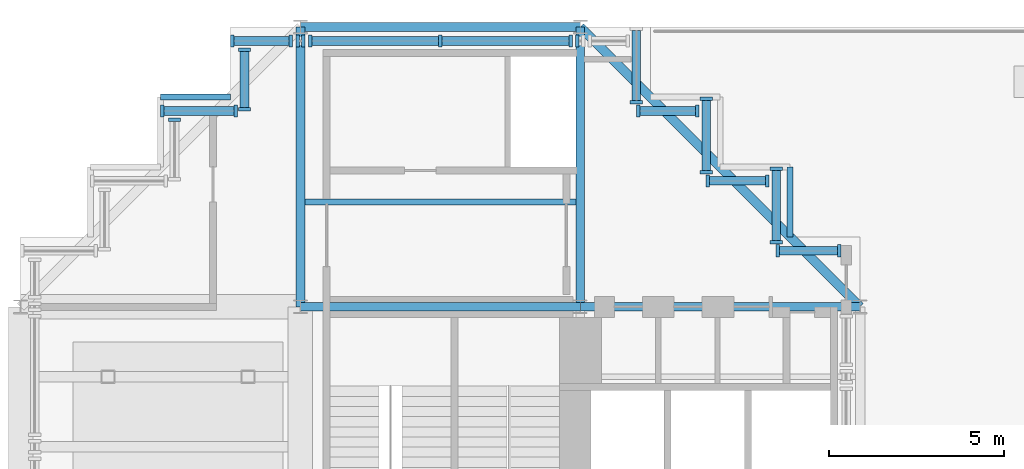
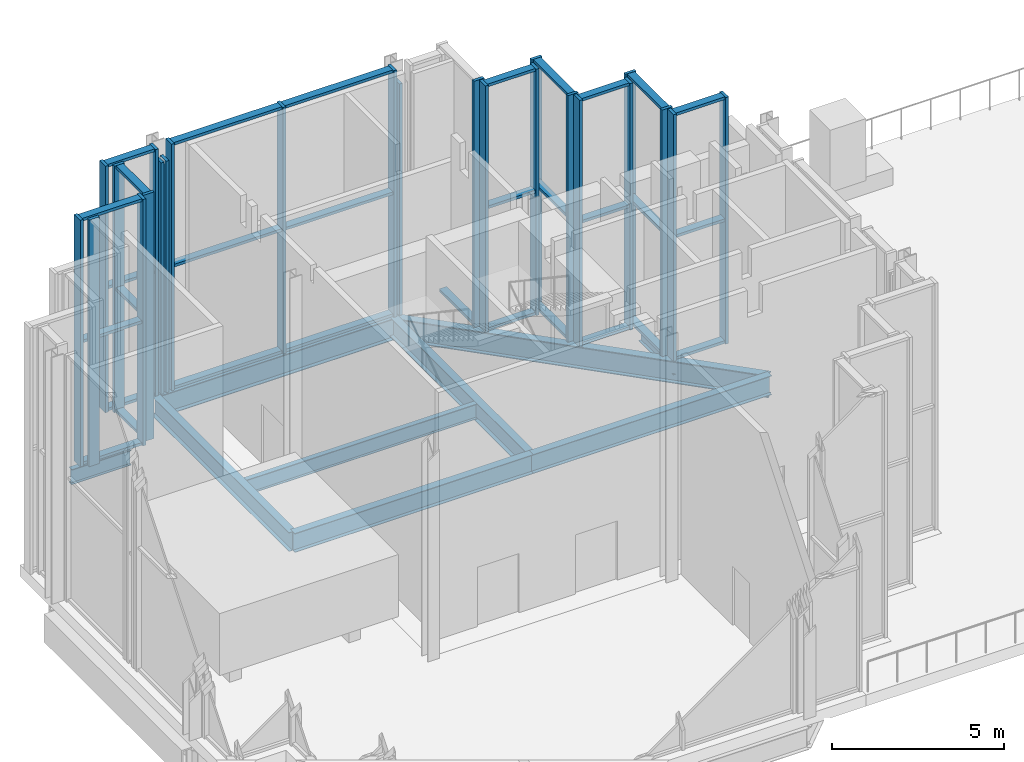
# One storey, part 4 of 15: 55 members, 9 beams, 13 elements without a shape of their own.
"""IFC4 building model written with IfcOpenShell, lengths in metres."""

from ifc_helpers import new_model, si_unit, direction, frame, origin, origin_2d, place, context, subcontext, project, spatial, rectangle, i_section, extrude, material, material_profile, profile_set, type_object, element, aggregate, save


model = new_model("IFC4")

# Units and contexts
model_context = context("Model", 3, precision=1e-05, world=origin(), true_north=direction((0.0, 1.0)))
body_context = subcontext(model_context, "Body", "Model", "MODEL_VIEW")
ifc_project = project(units=[si_unit("LENGTHUNIT", "METRE"), si_unit("AREAUNIT", "SQUARE_METRE"), si_unit("VOLUMEUNIT", "CUBIC_METRE"), si_unit("PLANEANGLEUNIT", "RADIAN"), si_unit("MASSUNIT", "GRAM", prefix="KILO")], contexts=[model_context])

# Site, building, storey
site_placement = place(None, origin())
site = spatial("IfcSite", under=ifc_project, at=site_placement, CompositionType="ELEMENT")
building_placement = place(site_placement, origin())
building = spatial("IfcBuilding", under=site, at=building_placement, Name="Immortelle Media Tower", CompositionType="ELEMENT")
storey_placement = place(building_placement, frame((0.0, 0.0, 299.0)))
storey = spatial("IfcBuildingStorey", under=building, at=storey_placement, Name="L66", CompositionType="ELEMENT", Elevation=299.0)

# Curtain wall, members
ifc_material_1 = material(Name="Aluminium curtain wall system", Category="aluminium")
curtain_wall_type = type_object("IfcCurtainWallType", Name="Damper hall glazing curtain wall", PredefinedType="NOTDEFINED", material=ifc_material_1)
curtain_wall_1_placement = place(storey_placement, origin())
curtain_wall_1 = element("IfcCurtainWall", 1, at=curtain_wall_1_placement, inside=storey, type_object=curtain_wall_type, Name="Damper hall glazing L66 N 8", PredefinedType="NOTDEFINED")
ifc_material_2 = material(Name="Aluminium 6063-T6", Category="aluminium")
ifc_material_profile_1 = material_profile(ifc_material_2, rectangle(XDim=0.35009765625, YDim=0.10009765625, at=origin_2d()), Name="AL 100x350")
ifc_profile_set_1 = profile_set([ifc_material_profile_1], Name="Aluminium 6063-T6")
member_type_1 = type_object("IfcMemberType", Name="Damper hall glazing mullion 100 x 350", PredefinedType="MULLION", material=ifc_profile_set_1)
member_1_placement = place(storey_placement, frame((23.39990234375, 17.60009765625, 0.0), z_axis=(0.0, 0.0, 1.0), x_axis=(0.0, -1.0, 0.0)))
member_1 = element("IfcMember", 2, at=member_1_placement, type_object=member_type_1, Name="CW5 mullion 1", PredefinedType="MULLION", context=body_context, shape_type="SweptSolid", body=[
    extrude(rectangle(XDim=0.35009765625, YDim=0.10009765625, at=origin_2d()), origin(), (0.0, 0.0, 1.0), 8.74951171875),
])
member_2_placement = place(storey_placement, frame((21.64990234375, 17.60009765625, 0.0), z_axis=(0.0, 0.0, 1.0), x_axis=(0.0, -1.0, 0.0)))
member_2 = element("IfcMember", 3, at=member_2_placement, type_object=member_type_1, Name="CW5 mullion 2", PredefinedType="MULLION", context=body_context, shape_type="SweptSolid", body=[
    extrude(rectangle(XDim=0.35009765625, YDim=0.10009765625, at=origin_2d()), origin(), (0.0, 0.0, 1.0), 8.74951171875),
])

curtain_wall_2_placement = place(storey_placement, origin())
curtain_wall_2 = element("IfcCurtainWall", 4, at=curtain_wall_2_placement, inside=storey, type_object=curtain_wall_type, Name="Damper hall glazing L66 E 9", PredefinedType="NOTDEFINED")
member_3_placement = place(storey_placement, frame((21.60009765625, 17.85009765625, 0.0), z_axis=(0.0, 0.0, 1.0), x_axis=(-1.0, 0.0, 0.0)))
member_3 = element("IfcMember", 5, at=member_3_placement, type_object=member_type_1, Name="CW5 mullion 1", PredefinedType="MULLION", context=body_context, shape_type="SweptSolid", body=[
    extrude(rectangle(XDim=0.35009765625, YDim=0.10009765625, at=origin_2d()), origin(), (0.0, 0.0, 1.0), 8.74951171875),
])
member_4_placement = place(storey_placement, frame((21.60009765625, 19.949951171875, 0.0), z_axis=(0.0, 0.0, 1.0), x_axis=(-1.0, 0.0, 0.0)))
member_4 = element("IfcMember", 6, at=member_4_placement, type_object=member_type_1, Name="CW5 mullion 2", PredefinedType="MULLION", context=body_context, shape_type="SweptSolid", body=[
    extrude(rectangle(XDim=0.35009765625, YDim=0.10009765625, at=origin_2d()), origin(), (0.0, 0.0, 1.0), 8.74951171875),
])

curtain_wall_3_placement = place(storey_placement, origin())
curtain_wall_3 = element("IfcCurtainWall", 7, at=curtain_wall_3_placement, inside=storey, type_object=curtain_wall_type, Name="Damper hall glazing L66 N 10", PredefinedType="NOTDEFINED")
member_5_placement = place(storey_placement, frame((21.35009765625, 19.60009765625, 0.0), z_axis=(0.0, 0.0, 1.0), x_axis=(0.0, -1.0, 0.0)))
member_5 = element("IfcMember", 8, at=member_5_placement, type_object=member_type_1, Name="CW5 mullion 1", PredefinedType="MULLION", context=body_context, shape_type="SweptSolid", body=[
    extrude(rectangle(XDim=0.35009765625, YDim=0.10009765625, at=origin_2d()), origin(), (0.0, 0.0, 1.0), 8.74951171875),
])
member_6_placement = place(storey_placement, frame((19.64990234375, 19.60009765625, 0.0), z_axis=(0.0, 0.0, 1.0), x_axis=(0.0, -1.0, 0.0)))
member_6 = element("IfcMember", 9, at=member_6_placement, type_object=member_type_1, Name="CW5 mullion 2", PredefinedType="MULLION", context=body_context, shape_type="SweptSolid", body=[
    extrude(rectangle(XDim=0.35009765625, YDim=0.10009765625, at=origin_2d()), origin(), (0.0, 0.0, 1.0), 8.74951171875),
])

curtain_wall_4_placement = place(storey_placement, origin())
curtain_wall_4 = element("IfcCurtainWall", 10, at=curtain_wall_4_placement, inside=storey, type_object=curtain_wall_type, Name="Damper hall glazing L66 E 11", PredefinedType="NOTDEFINED")
member_7_placement = place(storey_placement, frame((19.60009765625, 19.85009765625, 0.0), z_axis=(0.0, 0.0, 1.0), x_axis=(-1.0, 0.0, 0.0)))
member_7 = element("IfcMember", 11, at=member_7_placement, type_object=member_type_1, Name="CW5 mullion 1", PredefinedType="MULLION", context=body_context, shape_type="SweptSolid", body=[
    extrude(rectangle(XDim=0.35009765625, YDim=0.10009765625, at=origin_2d()), origin(), (0.0, 0.0, 1.0), 8.74951171875),
])
member_8_placement = place(storey_placement, frame((19.60009765625, 21.949951171875, 0.0), z_axis=(0.0, 0.0, 1.0), x_axis=(-1.0, 0.0, 0.0)))
member_8 = element("IfcMember", 12, at=member_8_placement, type_object=member_type_1, Name="CW5 mullion 2", PredefinedType="MULLION", context=body_context, shape_type="SweptSolid", body=[
    extrude(rectangle(XDim=0.35009765625, YDim=0.10009765625, at=origin_2d()), origin(), (0.0, 0.0, 1.0), 8.74951171875),
])

curtain_wall_5_placement = place(storey_placement, origin())
curtain_wall_5 = element("IfcCurtainWall", 13, at=curtain_wall_5_placement, inside=storey, type_object=curtain_wall_type, Name="Damper hall glazing L66 N 12", PredefinedType="NOTDEFINED")
member_9_placement = place(storey_placement, frame((19.35009765625, 21.60009765625, 0.0), z_axis=(0.0, 0.0, 1.0), x_axis=(0.0, -1.0, 0.0)))
member_9 = element("IfcMember", 14, at=member_9_placement, type_object=member_type_1, Name="CW5 mullion 1", PredefinedType="MULLION", context=body_context, shape_type="SweptSolid", body=[
    extrude(rectangle(XDim=0.35009765625, YDim=0.10009765625, at=origin_2d()), origin(), (0.0, 0.0, 1.0), 8.74951171875),
])
member_10_placement = place(storey_placement, frame((17.64990234375, 21.60009765625, 0.0), z_axis=(0.0, 0.0, 1.0), x_axis=(0.0, -1.0, 0.0)))
member_10 = element("IfcMember", 15, at=member_10_placement, type_object=member_type_1, Name="CW5 mullion 2", PredefinedType="MULLION", context=body_context, shape_type="SweptSolid", body=[
    extrude(rectangle(XDim=0.35009765625, YDim=0.10009765625, at=origin_2d()), origin(), (0.0, 0.0, 1.0), 8.74951171875),
])

# Curtain wall, member
curtain_wall_6_placement = place(storey_placement, origin())
curtain_wall_6 = element("IfcCurtainWall", 16, at=curtain_wall_6_placement, inside=storey, type_object=curtain_wall_type, Name="Damper hall glazing L66 E 13", PredefinedType="NOTDEFINED")
member_11_placement = place(storey_placement, frame((17.60009765625, 21.85009765625, 0.0), z_axis=(0.0, 0.0, 1.0), x_axis=(-1.0, 0.0, 0.0)))
member_11 = element("IfcMember", 17, at=member_11_placement, type_object=member_type_1, Name="CW5 mullion 1", PredefinedType="MULLION", context=body_context, shape_type="SweptSolid", body=[
    extrude(rectangle(XDim=0.35009765625, YDim=0.10009765625, at=origin_2d()), origin(), (0.0, 0.0, 1.0), 8.74951171875),
])

curtain_wall_7_placement = place(storey_placement, origin())
curtain_wall_7 = element("IfcCurtainWall", 18, at=curtain_wall_7_placement, inside=storey, type_object=curtain_wall_type, Name="Damper hall glazing L66 N 14-2", PredefinedType="NOTDEFINED")
member_12_placement = place(storey_placement, frame((15.91650390625, 23.60009765625, 0.0), z_axis=(0.0, 0.0, 1.0), x_axis=(0.0, -1.0, 0.0)))
member_12 = element("IfcMember", 19, at=member_12_placement, type_object=member_type_1, Name="CW5 mullion 2", PredefinedType="MULLION", context=body_context, shape_type="SweptSolid", body=[
    extrude(rectangle(XDim=0.35009765625, YDim=0.10009765625, at=origin_2d()), origin(), (0.0, 0.0, 1.0), 8.21337890625),
])
aggregate(curtain_wall_7, [member_12])

# Curtain wall, members
curtain_wall_8_placement = place(storey_placement, origin())
curtain_wall_8 = element("IfcCurtainWall", 20, at=curtain_wall_8_placement, inside=storey, type_object=curtain_wall_type, Name="Damper hall glazing L66 N 14-3", PredefinedType="NOTDEFINED")
member_13_placement = place(storey_placement, frame((15.7265625, 23.60009765625, 0.0), z_axis=(0.0, 0.0, 1.0), x_axis=(0.0, -1.0, 0.0)))
member_13 = element("IfcMember", 21, at=member_13_placement, type_object=member_type_1, Name="CW5 mullion 1", PredefinedType="MULLION", context=body_context, shape_type="SweptSolid", body=[
    extrude(rectangle(XDim=0.35009765625, YDim=0.10009765625, at=origin_2d()), origin(), (0.0, 0.0, 1.0), 8.74951171875),
])
member_14_placement = place(storey_placement, frame((12.0, 23.60009765625, 0.0), z_axis=(0.0, 0.0, 1.0), x_axis=(0.0, -1.0, 0.0)))
member_14 = element("IfcMember", 22, at=member_14_placement, type_object=member_type_1, Name="CW5 mullion 2", PredefinedType="MULLION", context=body_context, shape_type="SweptSolid", body=[
    extrude(rectangle(XDim=0.35009765625, YDim=0.10009765625, at=origin_2d()), origin(), (0.0, 0.0, 1.0), 8.74951171875),
])
member_15_placement = place(storey_placement, frame((8.2734375, 23.60009765625, 0.0), z_axis=(0.0, 0.0, 1.0), x_axis=(0.0, -1.0, 0.0)))
member_15 = element("IfcMember", 23, at=member_15_placement, type_object=member_type_1, Name="CW5 mullion 3", PredefinedType="MULLION", context=body_context, shape_type="SweptSolid", body=[
    extrude(rectangle(XDim=0.35009765625, YDim=0.10009765625, at=origin_2d()), origin(), (0.0, 0.0, 1.0), 8.74951171875),
])

curtain_wall_9_placement = place(storey_placement, origin())
curtain_wall_9 = element("IfcCurtainWall", 24, at=curtain_wall_9_placement, inside=storey, type_object=curtain_wall_type, Name="Damper hall glazing L66 N 14-4", PredefinedType="NOTDEFINED")
member_16_placement = place(storey_placement, frame((8.08349609375, 23.60009765625, 0.0), z_axis=(0.0, 0.0, 1.0), x_axis=(0.0, -1.0, 0.0)))
member_16 = element("IfcMember", 25, at=member_16_placement, type_object=member_type_1, Name="CW5 mullion 1", PredefinedType="MULLION", context=body_context, shape_type="SweptSolid", body=[
    extrude(rectangle(XDim=0.35009765625, YDim=0.10009765625, at=origin_2d()), origin(), (0.0, 0.0, 1.0), 8.21337890625),
])
member_17_placement = place(storey_placement, frame((7.91650390625, 23.60009765625, 0.0), z_axis=(0.0, 0.0, 1.0), x_axis=(0.0, -1.0, 0.0)))
member_17 = element("IfcMember", 26, at=member_17_placement, type_object=member_type_1, Name="CW5 mullion 2", PredefinedType="MULLION", context=body_context, shape_type="SweptSolid", body=[
    extrude(rectangle(XDim=0.35009765625, YDim=0.10009765625, at=origin_2d()), origin(), (0.0, 0.0, 1.0), 8.21337890625),
])
aggregate(curtain_wall_9, [member_16, member_17])

curtain_wall_10_placement = place(storey_placement, origin())
curtain_wall_10 = element("IfcCurtainWall", 27, at=curtain_wall_10_placement, inside=storey, type_object=curtain_wall_type, Name="Damper hall glazing L66 N 14-5", PredefinedType="NOTDEFINED")
member_18_placement = place(storey_placement, frame((7.7265625, 23.60009765625, 0.0), z_axis=(0.0, 0.0, 1.0), x_axis=(0.0, -1.0, 0.0)))
member_18 = element("IfcMember", 28, at=member_18_placement, type_object=member_type_1, Name="CW5 mullion 1", PredefinedType="MULLION", context=body_context, shape_type="SweptSolid", body=[
    extrude(rectangle(XDim=0.35009765625, YDim=0.10009765625, at=origin_2d()), origin(), (0.0, 0.0, 1.0), 8.74951171875),
])
member_19_placement = place(storey_placement, frame((6.050048828125, 23.60009765625, 0.0), z_axis=(0.0, 0.0, 1.0), x_axis=(0.0, -1.0, 0.0)))
member_19 = element("IfcMember", 29, at=member_19_placement, type_object=member_type_1, Name="CW5 mullion 2", PredefinedType="MULLION", context=body_context, shape_type="SweptSolid", body=[
    extrude(rectangle(XDim=0.35009765625, YDim=0.10009765625, at=origin_2d()), origin(), (0.0, 0.0, 1.0), 8.74951171875),
])

curtain_wall_11_placement = place(storey_placement, origin())
curtain_wall_11 = element("IfcCurtainWall", 30, at=curtain_wall_11_placement, inside=storey, type_object=curtain_wall_type, Name="Damper hall glazing L66 W 15", PredefinedType="NOTDEFINED")
member_20_placement = place(storey_placement, frame((6.39990234375, 23.35009765625, 0.0), z_axis=(0.0, 0.0, 1.0), x_axis=(1.0, 0.0, 0.0)))
member_20 = element("IfcMember", 31, at=member_20_placement, type_object=member_type_1, Name="CW5 mullion 1", PredefinedType="MULLION", context=body_context, shape_type="SweptSolid", body=[
    extrude(rectangle(XDim=0.35009765625, YDim=0.10009765625, at=origin_2d()), origin(), (0.0, 0.0, 1.0), 8.74951171875),
])
member_21_placement = place(storey_placement, frame((6.39990234375, 21.64990234375, 0.0), z_axis=(0.0, 0.0, 1.0), x_axis=(1.0, 0.0, 0.0)))
member_21 = element("IfcMember", 32, at=member_21_placement, type_object=member_type_1, Name="CW5 mullion 2", PredefinedType="MULLION", context=body_context, shape_type="SweptSolid", body=[
    extrude(rectangle(XDim=0.35009765625, YDim=0.10009765625, at=origin_2d()), origin(), (0.0, 0.0, 1.0), 8.74951171875),
])

curtain_wall_12_placement = place(storey_placement, origin())
curtain_wall_12 = element("IfcCurtainWall", 33, at=curtain_wall_12_placement, inside=storey, type_object=curtain_wall_type, Name="Damper hall glazing L66 N 16", PredefinedType="NOTDEFINED")
member_22_placement = place(storey_placement, frame((6.14990234375, 21.60009765625, 0.0), z_axis=(0.0, 0.0, 1.0), x_axis=(0.0, -1.0, 0.0)))
member_22 = element("IfcMember", 34, at=member_22_placement, type_object=member_type_1, Name="CW5 mullion 1", PredefinedType="MULLION", context=body_context, shape_type="SweptSolid", body=[
    extrude(rectangle(XDim=0.35009765625, YDim=0.10009765625, at=origin_2d()), origin(), (0.0, 0.0, 1.0), 8.74951171875),
])
member_23_placement = place(storey_placement, frame((4.050048828125, 21.60009765625, 0.0), z_axis=(0.0, 0.0, 1.0), x_axis=(0.0, -1.0, 0.0)))
member_23 = element("IfcMember", 35, at=member_23_placement, type_object=member_type_1, Name="CW5 mullion 2", PredefinedType="MULLION", context=body_context, shape_type="SweptSolid", body=[
    extrude(rectangle(XDim=0.35009765625, YDim=0.10009765625, at=origin_2d()), origin(), (0.0, 0.0, 1.0), 8.74951171875),
])

# Curtain wall, member
curtain_wall_13_placement = place(storey_placement, origin())
curtain_wall_13 = element("IfcCurtainWall", 36, at=curtain_wall_13_placement, inside=storey, type_object=curtain_wall_type, Name="Damper hall glazing L66 W 17", PredefinedType="NOTDEFINED")
member_24_placement = place(storey_placement, frame((4.39990234375, 21.35009765625, 0.0), z_axis=(0.0, 0.0, 1.0), x_axis=(1.0, 0.0, 0.0)))
member_24 = element("IfcMember", 37, at=member_24_placement, type_object=member_type_1, Name="CW5 mullion 1", PredefinedType="MULLION", context=body_context, shape_type="SweptSolid", body=[
    extrude(rectangle(XDim=0.35009765625, YDim=0.10009765625, at=origin_2d()), origin(), (0.0, 0.0, 1.0), 8.74951171875),
])
aggregate(curtain_wall_13, [member_24])

# Member
ifc_material_profile_2 = material_profile(ifc_material_2, rectangle(XDim=0.25, YDim=0.10009765625, at=origin_2d()), Name="AL 100x250")
ifc_profile_set_2 = profile_set([ifc_material_profile_2], Name="Aluminium 6063-T6")
member_type_2 = type_object("IfcMemberType", Name="Damper hall glazing transom 100 x 250", PredefinedType="USERDEFINED", material=ifc_profile_set_2)
member_25_placement = place(storey_placement, frame((23.35009765625, 17.60009765625, 0.050048828125), z_axis=(-1.0, 0.0, 0.0), x_axis=(0.0, -1.0, 0.0)))
member_25 = element("IfcMember", 38, at=member_25_placement, type_object=member_type_2, Name="CW5 transom 1.1", ObjectType="TRANSOM", PredefinedType="USERDEFINED", context=body_context, shape_type="SweptSolid", body=[
    extrude(rectangle(XDim=0.25, YDim=0.10009765625, at=origin_2d()), origin(), (0.0, 0.0, 1.0), 1.650146484375),
])

member_26_placement = place(storey_placement, frame((23.35009765625, 17.60009765625, 4.374755859375), z_axis=(-1.0, 0.0, 0.0), x_axis=(0.0, -1.0, 0.0)))
member_26 = element("IfcMember", 39, at=member_26_placement, type_object=member_type_2, Name="CW5 transom 1.2", ObjectType="TRANSOM", PredefinedType="USERDEFINED", context=body_context, shape_type="SweptSolid", body=[
    extrude(rectangle(XDim=0.25, YDim=0.10009765625, at=origin_2d()), origin(), (0.0, 0.0, 1.0), 1.650146484375),
])

member_27_placement = place(storey_placement, frame((23.35009765625, 17.60009765625, 8.699462890625), z_axis=(-1.0, 0.0, 0.0), x_axis=(0.0, -1.0, 0.0)))
member_27 = element("IfcMember", 40, at=member_27_placement, type_object=member_type_2, Name="CW5 transom 1.3", ObjectType="TRANSOM", PredefinedType="USERDEFINED", context=body_context, shape_type="SweptSolid", body=[
    extrude(rectangle(XDim=0.25, YDim=0.10009765625, at=origin_2d()), origin(), (0.0, 0.0, 1.0), 1.650146484375),
])

aggregate(curtain_wall_1, [member_1, member_2, member_25, member_26, member_27])

member_28_placement = place(storey_placement, frame((21.60009765625, 17.89990234375, 0.050048828125), z_axis=(0.0, 1.0, 0.0), x_axis=(-1.0, 0.0, 0.0)))
member_28 = element("IfcMember", 41, at=member_28_placement, type_object=member_type_2, Name="CW5 transom 1.1", ObjectType="TRANSOM", PredefinedType="USERDEFINED", context=body_context, shape_type="SweptSolid", body=[
    extrude(rectangle(XDim=0.25, YDim=0.10009765625, at=origin_2d()), origin(), (0.0, 0.0, 1.0), 2.0),
])

member_29_placement = place(storey_placement, frame((21.60009765625, 17.89990234375, 4.374755859375), z_axis=(0.0, 1.0, 0.0), x_axis=(-1.0, 0.0, 0.0)))
member_29 = element("IfcMember", 42, at=member_29_placement, type_object=member_type_2, Name="CW5 transom 1.2", ObjectType="TRANSOM", PredefinedType="USERDEFINED", context=body_context, shape_type="SweptSolid", body=[
    extrude(rectangle(XDim=0.25, YDim=0.10009765625, at=origin_2d()), origin(), (0.0, 0.0, 1.0), 2.0),
])

member_30_placement = place(storey_placement, frame((21.60009765625, 17.89990234375, 8.699462890625), z_axis=(0.0, 1.0, 0.0), x_axis=(-1.0, 0.0, 0.0)))
member_30 = element("IfcMember", 43, at=member_30_placement, type_object=member_type_2, Name="CW5 transom 1.3", ObjectType="TRANSOM", PredefinedType="USERDEFINED", context=body_context, shape_type="SweptSolid", body=[
    extrude(rectangle(XDim=0.25, YDim=0.10009765625, at=origin_2d()), origin(), (0.0, 0.0, 1.0), 2.0),
])

aggregate(curtain_wall_2, [member_3, member_4, member_28, member_29, member_30])

member_31_placement = place(storey_placement, frame((21.300048828125, 19.60009765625, 0.050048828125), z_axis=(-1.0, 0.0, 0.0), x_axis=(0.0, -1.0, 0.0)))
member_31 = element("IfcMember", 44, at=member_31_placement, type_object=member_type_2, Name="CW5 transom 1.1", ObjectType="TRANSOM", PredefinedType="USERDEFINED", context=body_context, shape_type="SweptSolid", body=[
    extrude(rectangle(XDim=0.25, YDim=0.10009765625, at=origin_2d()), origin(), (0.0, 0.0, 1.0), 1.60009765625),
])

member_32_placement = place(storey_placement, frame((21.300048828125, 19.60009765625, 4.374755859375), z_axis=(-1.0, 0.0, 0.0), x_axis=(0.0, -1.0, 0.0)))
member_32 = element("IfcMember", 45, at=member_32_placement, type_object=member_type_2, Name="CW5 transom 1.2", ObjectType="TRANSOM", PredefinedType="USERDEFINED", context=body_context, shape_type="SweptSolid", body=[
    extrude(rectangle(XDim=0.25, YDim=0.10009765625, at=origin_2d()), origin(), (0.0, 0.0, 1.0), 1.60009765625),
])

member_33_placement = place(storey_placement, frame((21.300048828125, 19.60009765625, 8.699462890625), z_axis=(-1.0, 0.0, 0.0), x_axis=(0.0, -1.0, 0.0)))
member_33 = element("IfcMember", 46, at=member_33_placement, type_object=member_type_2, Name="CW5 transom 1.3", ObjectType="TRANSOM", PredefinedType="USERDEFINED", context=body_context, shape_type="SweptSolid", body=[
    extrude(rectangle(XDim=0.25, YDim=0.10009765625, at=origin_2d()), origin(), (0.0, 0.0, 1.0), 1.60009765625),
])

aggregate(curtain_wall_3, [member_5, member_6, member_31, member_32, member_33])

member_34_placement = place(storey_placement, frame((19.60009765625, 19.89990234375, 0.050048828125), z_axis=(0.0, 1.0, 0.0), x_axis=(-1.0, 0.0, 0.0)))
member_34 = element("IfcMember", 47, at=member_34_placement, type_object=member_type_2, Name="CW5 transom 1.1", ObjectType="TRANSOM", PredefinedType="USERDEFINED", context=body_context, shape_type="SweptSolid", body=[
    extrude(rectangle(XDim=0.25, YDim=0.10009765625, at=origin_2d()), origin(), (0.0, 0.0, 1.0), 2.0),
])

member_35_placement = place(storey_placement, frame((19.60009765625, 19.89990234375, 4.374755859375), z_axis=(0.0, 1.0, 0.0), x_axis=(-1.0, 0.0, 0.0)))
member_35 = element("IfcMember", 48, at=member_35_placement, type_object=member_type_2, Name="CW5 transom 1.2", ObjectType="TRANSOM", PredefinedType="USERDEFINED", context=body_context, shape_type="SweptSolid", body=[
    extrude(rectangle(XDim=0.25, YDim=0.10009765625, at=origin_2d()), origin(), (0.0, 0.0, 1.0), 2.0),
])

member_36_placement = place(storey_placement, frame((19.60009765625, 19.89990234375, 8.699462890625), z_axis=(0.0, 1.0, 0.0), x_axis=(-1.0, 0.0, 0.0)))
member_36 = element("IfcMember", 49, at=member_36_placement, type_object=member_type_2, Name="CW5 transom 1.3", ObjectType="TRANSOM", PredefinedType="USERDEFINED", context=body_context, shape_type="SweptSolid", body=[
    extrude(rectangle(XDim=0.25, YDim=0.10009765625, at=origin_2d()), origin(), (0.0, 0.0, 1.0), 2.0),
])

aggregate(curtain_wall_4, [member_7, member_8, member_34, member_35, member_36])

member_37_placement = place(storey_placement, frame((19.300048828125, 21.60009765625, 0.050048828125), z_axis=(-1.0, 0.0, 0.0), x_axis=(0.0, -1.0, 0.0)))
member_37 = element("IfcMember", 50, at=member_37_placement, type_object=member_type_2, Name="CW5 transom 1.1", ObjectType="TRANSOM", PredefinedType="USERDEFINED", context=body_context, shape_type="SweptSolid", body=[
    extrude(rectangle(XDim=0.25, YDim=0.10009765625, at=origin_2d()), origin(), (0.0, 0.0, 1.0), 1.60009765625),
])

member_38_placement = place(storey_placement, frame((19.300048828125, 21.60009765625, 4.374755859375), z_axis=(-1.0, 0.0, 0.0), x_axis=(0.0, -1.0, 0.0)))
member_38 = element("IfcMember", 51, at=member_38_placement, type_object=member_type_2, Name="CW5 transom 1.2", ObjectType="TRANSOM", PredefinedType="USERDEFINED", context=body_context, shape_type="SweptSolid", body=[
    extrude(rectangle(XDim=0.25, YDim=0.10009765625, at=origin_2d()), origin(), (0.0, 0.0, 1.0), 1.60009765625),
])

member_39_placement = place(storey_placement, frame((19.300048828125, 21.60009765625, 8.699462890625), z_axis=(-1.0, 0.0, 0.0), x_axis=(0.0, -1.0, 0.0)))
member_39 = element("IfcMember", 52, at=member_39_placement, type_object=member_type_2, Name="CW5 transom 1.3", ObjectType="TRANSOM", PredefinedType="USERDEFINED", context=body_context, shape_type="SweptSolid", body=[
    extrude(rectangle(XDim=0.25, YDim=0.10009765625, at=origin_2d()), origin(), (0.0, 0.0, 1.0), 1.60009765625),
])

aggregate(curtain_wall_5, [member_9, member_10, member_37, member_38, member_39])

member_40_placement = place(storey_placement, frame((17.60009765625, 21.89990234375, 0.050048828125), z_axis=(0.0, 1.0, 0.0), x_axis=(-1.0, 0.0, 0.0)))
member_40 = element("IfcMember", 53, at=member_40_placement, type_object=member_type_2, Name="CW5 transom 1.1", ObjectType="TRANSOM", PredefinedType="USERDEFINED", context=body_context, shape_type="SweptSolid", body=[
    extrude(rectangle(XDim=0.25, YDim=0.10009765625, at=origin_2d()), origin(), (0.0, 0.0, 1.0), 2.0),
])

aggregate(curtain_wall_6, [member_11, member_40])

member_41_placement = place(storey_placement, frame((15.676513671875, 23.60009765625, 0.050048828125), z_axis=(-1.0, 0.0, 0.0), x_axis=(0.0, -1.0, 0.0)))
member_41 = element("IfcMember", 54, at=member_41_placement, type_object=member_type_2, Name="CW5 transom 1.1", ObjectType="TRANSOM", PredefinedType="USERDEFINED", context=body_context, shape_type="SweptSolid", body=[
    extrude(rectangle(XDim=0.25, YDim=0.10009765625, at=origin_2d()), origin(), (0.0, 0.0, 1.0), 3.62646484375),
])

member_42_placement = place(storey_placement, frame((15.676513671875, 23.60009765625, 4.374755859375), z_axis=(-1.0, 0.0, 0.0), x_axis=(0.0, -1.0, 0.0)))
member_42 = element("IfcMember", 55, at=member_42_placement, type_object=member_type_2, Name="CW5 transom 1.2", ObjectType="TRANSOM", PredefinedType="USERDEFINED", context=body_context, shape_type="SweptSolid", body=[
    extrude(rectangle(XDim=0.25, YDim=0.10009765625, at=origin_2d()), origin(), (0.0, 0.0, 1.0), 3.62646484375),
])

member_43_placement = place(storey_placement, frame((15.676513671875, 23.60009765625, 8.699462890625), z_axis=(-1.0, 0.0, 0.0), x_axis=(0.0, -1.0, 0.0)))
member_43 = element("IfcMember", 56, at=member_43_placement, type_object=member_type_2, Name="CW5 transom 1.3", ObjectType="TRANSOM", PredefinedType="USERDEFINED", context=body_context, shape_type="SweptSolid", body=[
    extrude(rectangle(XDim=0.25, YDim=0.10009765625, at=origin_2d()), origin(), (0.0, 0.0, 1.0), 3.62646484375),
])

member_44_placement = place(storey_placement, frame((11.949951171875, 23.60009765625, 0.050048828125), z_axis=(-1.0, 0.0, 0.0), x_axis=(0.0, -1.0, 0.0)))
member_44 = element("IfcMember", 57, at=member_44_placement, type_object=member_type_2, Name="CW5 transom 2.1", ObjectType="TRANSOM", PredefinedType="USERDEFINED", context=body_context, shape_type="SweptSolid", body=[
    extrude(rectangle(XDim=0.25, YDim=0.10009765625, at=origin_2d()), origin(), (0.0, 0.0, 1.0), 3.62646484375),
])

member_45_placement = place(storey_placement, frame((11.949951171875, 23.60009765625, 4.374755859375), z_axis=(-1.0, 0.0, 0.0), x_axis=(0.0, -1.0, 0.0)))
member_45 = element("IfcMember", 58, at=member_45_placement, type_object=member_type_2, Name="CW5 transom 2.2", ObjectType="TRANSOM", PredefinedType="USERDEFINED", context=body_context, shape_type="SweptSolid", body=[
    extrude(rectangle(XDim=0.25, YDim=0.10009765625, at=origin_2d()), origin(), (0.0, 0.0, 1.0), 3.62646484375),
])

member_46_placement = place(storey_placement, frame((11.949951171875, 23.60009765625, 8.699462890625), z_axis=(-1.0, 0.0, 0.0), x_axis=(0.0, -1.0, 0.0)))
member_46 = element("IfcMember", 59, at=member_46_placement, type_object=member_type_2, Name="CW5 transom 2.3", ObjectType="TRANSOM", PredefinedType="USERDEFINED", context=body_context, shape_type="SweptSolid", body=[
    extrude(rectangle(XDim=0.25, YDim=0.10009765625, at=origin_2d()), origin(), (0.0, 0.0, 1.0), 3.62646484375),
])

aggregate(curtain_wall_8, [member_13, member_14, member_15, member_41, member_42, member_43, member_44, member_45, member_46])

member_47_placement = place(storey_placement, frame((7.676513671875, 23.60009765625, 0.050048828125), z_axis=(-1.0, 0.0, 0.0), x_axis=(0.0, -1.0, 0.0)))
member_47 = element("IfcMember", 60, at=member_47_placement, type_object=member_type_2, Name="CW5 transom 1.1", ObjectType="TRANSOM", PredefinedType="USERDEFINED", context=body_context, shape_type="SweptSolid", body=[
    extrude(rectangle(XDim=0.25, YDim=0.10009765625, at=origin_2d()), origin(), (0.0, 0.0, 1.0), 1.576416015625),
])

member_48_placement = place(storey_placement, frame((7.676513671875, 23.60009765625, 4.374755859375), z_axis=(-1.0, 0.0, 0.0), x_axis=(0.0, -1.0, 0.0)))
member_48 = element("IfcMember", 61, at=member_48_placement, type_object=member_type_2, Name="CW5 transom 1.2", ObjectType="TRANSOM", PredefinedType="USERDEFINED", context=body_context, shape_type="SweptSolid", body=[
    extrude(rectangle(XDim=0.25, YDim=0.10009765625, at=origin_2d()), origin(), (0.0, 0.0, 1.0), 1.576416015625),
])

member_49_placement = place(storey_placement, frame((7.676513671875, 23.60009765625, 8.699462890625), z_axis=(-1.0, 0.0, 0.0), x_axis=(0.0, -1.0, 0.0)))
member_49 = element("IfcMember", 62, at=member_49_placement, type_object=member_type_2, Name="CW5 transom 1.3", ObjectType="TRANSOM", PredefinedType="USERDEFINED", context=body_context, shape_type="SweptSolid", body=[
    extrude(rectangle(XDim=0.25, YDim=0.10009765625, at=origin_2d()), origin(), (0.0, 0.0, 1.0), 1.576416015625),
])

aggregate(curtain_wall_10, [member_18, member_19, member_47, member_48, member_49])

member_50_placement = place(storey_placement, frame((6.39990234375, 23.300048828125, 0.050048828125), z_axis=(0.0, -1.0, 0.0), x_axis=(1.0, 0.0, 0.0)))
member_50 = element("IfcMember", 63, at=member_50_placement, type_object=member_type_2, Name="CW5 transom 1.1", ObjectType="TRANSOM", PredefinedType="USERDEFINED", context=body_context, shape_type="SweptSolid", body=[
    extrude(rectangle(XDim=0.25, YDim=0.10009765625, at=origin_2d()), origin(), (0.0, 0.0, 1.0), 1.60009765625),
])

member_51_placement = place(storey_placement, frame((6.39990234375, 23.300048828125, 4.374755859375), z_axis=(0.0, -1.0, 0.0), x_axis=(1.0, 0.0, 0.0)))
member_51 = element("IfcMember", 64, at=member_51_placement, type_object=member_type_2, Name="CW5 transom 1.2", ObjectType="TRANSOM", PredefinedType="USERDEFINED", context=body_context, shape_type="SweptSolid", body=[
    extrude(rectangle(XDim=0.25, YDim=0.10009765625, at=origin_2d()), origin(), (0.0, 0.0, 1.0), 1.60009765625),
])

member_52_placement = place(storey_placement, frame((6.39990234375, 23.300048828125, 8.699462890625), z_axis=(0.0, -1.0, 0.0), x_axis=(1.0, 0.0, 0.0)))
member_52 = element("IfcMember", 65, at=member_52_placement, type_object=member_type_2, Name="CW5 transom 1.3", ObjectType="TRANSOM", PredefinedType="USERDEFINED", context=body_context, shape_type="SweptSolid", body=[
    extrude(rectangle(XDim=0.25, YDim=0.10009765625, at=origin_2d()), origin(), (0.0, 0.0, 1.0), 1.60009765625),
])

aggregate(curtain_wall_11, [member_20, member_21, member_50, member_51, member_52])

member_53_placement = place(storey_placement, frame((6.10009765625, 21.60009765625, 0.050048828125), z_axis=(-1.0, 0.0, 0.0), x_axis=(0.0, -1.0, 0.0)))
member_53 = element("IfcMember", 66, at=member_53_placement, type_object=member_type_2, Name="CW5 transom 1.1", ObjectType="TRANSOM", PredefinedType="USERDEFINED", context=body_context, shape_type="SweptSolid", body=[
    extrude(rectangle(XDim=0.25, YDim=0.10009765625, at=origin_2d()), origin(), (0.0, 0.0, 1.0), 2.0),
])

member_54_placement = place(storey_placement, frame((6.10009765625, 21.60009765625, 4.374755859375), z_axis=(-1.0, 0.0, 0.0), x_axis=(0.0, -1.0, 0.0)))
member_54 = element("IfcMember", 67, at=member_54_placement, type_object=member_type_2, Name="CW5 transom 1.2", ObjectType="TRANSOM", PredefinedType="USERDEFINED", context=body_context, shape_type="SweptSolid", body=[
    extrude(rectangle(XDim=0.25, YDim=0.10009765625, at=origin_2d()), origin(), (0.0, 0.0, 1.0), 2.0),
])

member_55_placement = place(storey_placement, frame((6.10009765625, 21.60009765625, 8.699462890625), z_axis=(-1.0, 0.0, 0.0), x_axis=(0.0, -1.0, 0.0)))
member_55 = element("IfcMember", 68, at=member_55_placement, type_object=member_type_2, Name="CW5 transom 1.3", ObjectType="TRANSOM", PredefinedType="USERDEFINED", context=body_context, shape_type="SweptSolid", body=[
    extrude(rectangle(XDim=0.25, YDim=0.10009765625, at=origin_2d()), origin(), (0.0, 0.0, 1.0), 2.0),
])

aggregate(curtain_wall_12, [member_22, member_23, member_53, member_54, member_55])

# Beams
ifc_material_3 = material(Name="Steel ASTM A992 Gr 50", Category="steel")
ifc_material_profile_3 = material_profile(ifc_material_3, i_section(OverallWidth=0.1669921875, OverallDepth=0.535888671875, WebThickness=0.010009765625, FlangeThickness=0.01708984375, at=origin_2d()), Name="W21x57")
ifc_profile_set_3 = profile_set([ifc_material_profile_3], Name="Steel ASTM A992 Gr 50")
beam_type_1 = type_object("IfcBeamType", Name="W21x57 secondary beam", PredefinedType="JOIST", material=ifc_profile_set_3)
beam_1_placement = place(storey_placement, frame((8.12646484375, 19.0, -0.66796875), z_axis=(1.0, 0.0, 0.0), x_axis=(0.0, 1.0, 0.0)))
element("IfcBeam", 69, at=beam_1_placement, inside=storey, type_object=beam_type_1, Name="Beam C-D/2-3", PredefinedType="JOIST", context=body_context, shape_type="SweptSolid", body=[
    extrude(i_section(OverallWidth=0.1669921875, OverallDepth=0.535888671875, WebThickness=0.010009765625, FlangeThickness=0.01708984375, at=origin_2d()), origin(), (0.0, 0.0, 1.0), 7.7470703125),
])
ifc_material_profile_4 = material_profile(ifc_material_3, i_section(OverallWidth=0.1669921875, OverallDepth=0.535888671875, WebThickness=0.010009765625, FlangeThickness=0.01708984375, at=origin_2d()), Name="W21x57")
ifc_profile_set_4 = profile_set([ifc_material_profile_4], Name="Steel ASTM A992 Gr 50")
beam_type_2 = type_object("IfcBeamType", Name="W21x57 serration edge beam", PredefinedType="SPANDREL", material=ifc_profile_set_4)
for number, where, z_axis, x_axis, name in (
    (70, (6.0, 22.0, -0.66796875), (-1.0, 0.0, 0.0), (0.0, -1.0, 0.0), "Corner edge beam 1 at 1/D"),
    (71, (22.0, 18.0, -0.66796875), (0.0, 1.0, 0.0), (-1.0, 0.0, 0.0), "Corner edge beam 1 at 4/D"),
):
    element("IfcBeam", number, at=place(storey_placement, frame(where, z_axis=z_axis, x_axis=x_axis)), inside=storey, type_object=beam_type_2, Name=name, PredefinedType="SPANDREL", context=body_context, shape_type="SweptSolid", body=[
        extrude(i_section(OverallWidth=0.1669921875, OverallDepth=0.535888671875, WebThickness=0.010009765625, FlangeThickness=0.01708984375, at=origin_2d()), origin(), (0.0, 0.0, 1.0), 2.0),
    ])
ifc_material_profile_5 = material_profile(ifc_material_3, i_section(OverallWidth=0.2529296875, OverallDepth=0.677978515625, WebThickness=0.011962890625, FlangeThickness=0.01611328125, at=origin_2d()), Name="W27x84")
ifc_profile_set_5 = profile_set([ifc_material_profile_5], Name="Steel ASTM A992 Gr 50")
beam_type_3 = type_object("IfcBeamType", Name="W27x84 girder", PredefinedType="BEAM", material=ifc_profile_set_5)
for number, where, z_axis, x_axis, name in (
    (72, (8.0, 16.0, -0.739013671875), (1.0, 0.0, 0.0), (0.0, 1.0, 0.0), "Girder C/2-3"),
    (73, (8.0, 16.0, -0.739013671875), (0.0, 1.0, 0.0), (-1.0, 0.0, 0.0), "Girder 2/C-D"),
    (74, (16.0, 16.0, -0.739013671875), (1.0, 0.0, 0.0), (0.0, 1.0, 0.0), "Girder C/3-4"),
    (75, (16.0, 16.0, -0.739013671875), (0.0, 1.0, 0.0), (-1.0, 0.0, 0.0), "Girder 3/C-D"),
):
    element("IfcBeam", number, at=place(storey_placement, frame(where, z_axis=z_axis, x_axis=x_axis)), inside=storey, type_object=beam_type_3, Name=name, PredefinedType="BEAM", context=body_context, shape_type="SweptSolid", body=[
        extrude(i_section(OverallWidth=0.2529296875, OverallDepth=0.677978515625, WebThickness=0.011962890625, FlangeThickness=0.01611328125, at=origin_2d()), origin(), (0.0, 0.0, 1.0), 8.0),
    ])
ifc_material_profile_6 = material_profile(ifc_material_3, i_section(OverallWidth=0.26708984375, OverallDepth=0.761962890625, WebThickness=0.013916015625, FlangeThickness=0.02197265625, at=origin_2d()), Name="W30x116")
ifc_profile_set_6 = profile_set([ifc_material_profile_6], Name="Steel ASTM A992 Gr 50")
beam_type_4 = type_object("IfcBeamType", Name="W30x116 perimeter girder", PredefinedType="SPANDREL", material=ifc_profile_set_6)
beam_2_placement = place(storey_placement, frame((8.0, 24.0, -0.781005859375), z_axis=(1.0, 0.0, 0.0), x_axis=(0.0, 1.0, 0.0)))
element("IfcBeam", 76, at=beam_2_placement, inside=storey, type_object=beam_type_4, Name="Girder D/2-3", PredefinedType="SPANDREL", context=body_context, shape_type="SweptSolid", body=[
    extrude(i_section(OverallWidth=0.26708984375, OverallDepth=0.761962890625, WebThickness=0.013916015625, FlangeThickness=0.02197265625, at=origin_2d()), origin(), (0.0, 0.0, 1.0), 8.0),
])
ifc_material_profile_7 = material_profile(ifc_material_3, i_section(OverallWidth=0.26708984375, OverallDepth=0.780029296875, WebThickness=0.01708984375, FlangeThickness=0.030029296875, at=origin_2d()), Name="W30x148")
ifc_profile_set_7 = profile_set([ifc_material_profile_7], Name="Steel ASTM A992 Gr 50")
beam_type_5 = type_object("IfcBeamType", Name="W30x148 corner girder", PredefinedType="SPANDREL", material=ifc_profile_set_7)
beam_3_placement = place(storey_placement, frame((24.0, 16.0, -0.7900390625), z_axis=(-0.707106781187, 0.707106781187, 0.0), x_axis=(-0.707106781187, -0.707106781187, 0.0)))
element("IfcBeam", 77, at=beam_3_placement, inside=storey, type_object=beam_type_5, Name="Corner girder at 4/D", PredefinedType="SPANDREL", context=body_context, shape_type="SweptSolid", body=[
    extrude(i_section(OverallWidth=0.26708984375, OverallDepth=0.780029296875, WebThickness=0.01708984375, FlangeThickness=0.030029296875, at=origin_2d()), origin(), (0.0, 0.0, 1.0), 11.313720703125),
])

save(model, "model.ifc")
